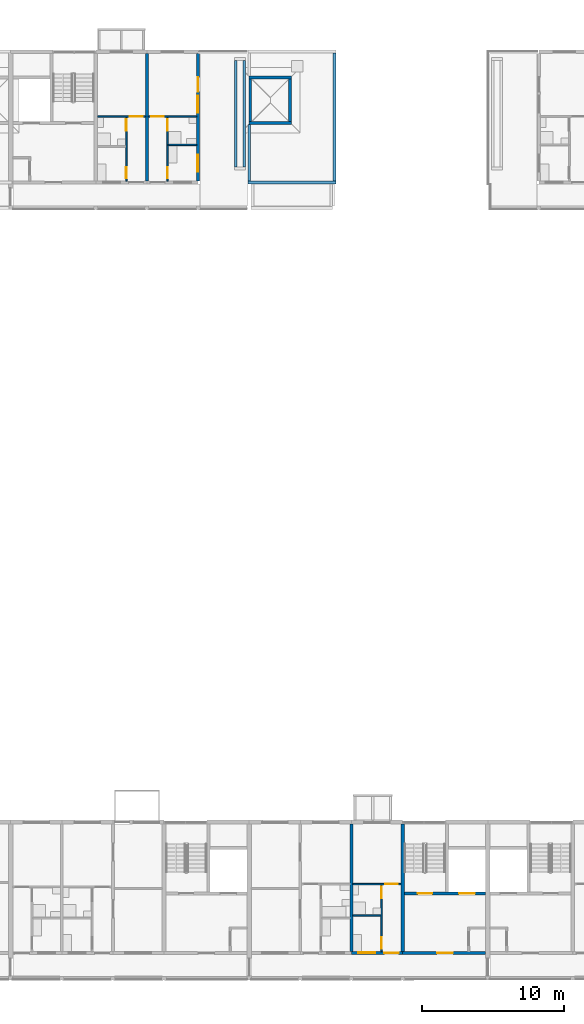
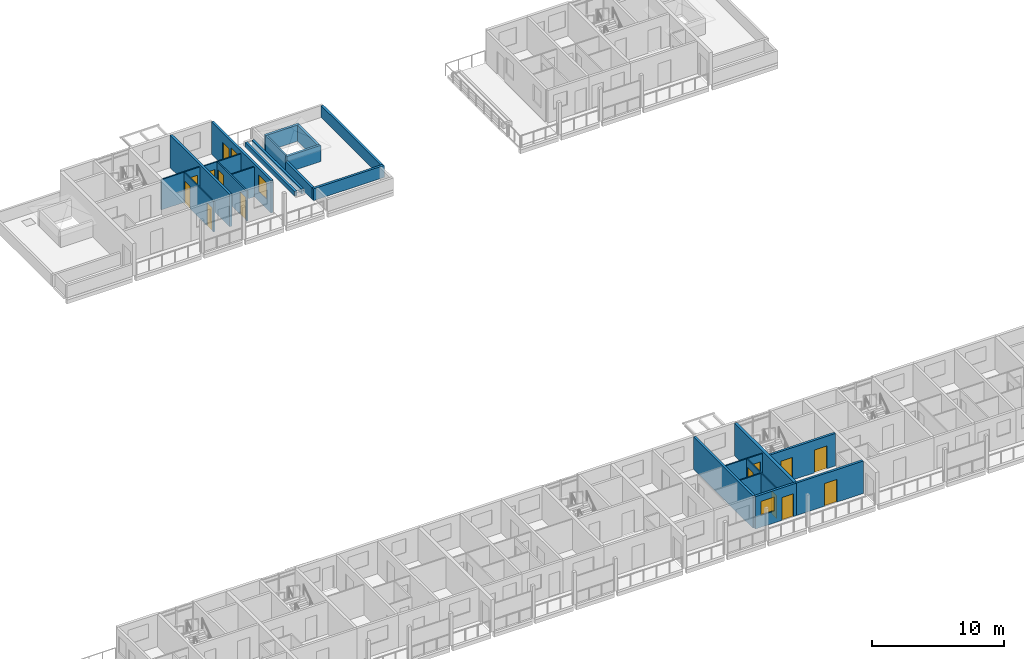
# One storey, part 45 of 78: 24 walls, 14 doors, 3 windows, 17 openings.
"""IFC4 building model written with IfcOpenShell, lengths in metres."""

from ifc_helpers import new_model, si_unit, direction, frame, frame_2d, origin, place, context, subcontext, project, spatial, rectangle, extrude, material, layer, layer_set, type_object, element, fill, save


model = new_model("IFC4")

# Units and contexts
model_context = context("Model", 3, precision=1e-05, world=origin(), true_north=direction((0.0, 1.0)))
body_context = subcontext(model_context, "Body", "Model", "MODEL_VIEW")
ifc_project = project(units=[si_unit("LENGTHUNIT", "METRE"), si_unit("AREAUNIT", "SQUARE_METRE"), si_unit("VOLUMEUNIT", "CUBIC_METRE"), si_unit("PLANEANGLEUNIT", "RADIAN"), si_unit("MASSUNIT", "GRAM", prefix="KILO")], contexts=[model_context])

# Site, building, storey
site_placement = place(None, origin())
site = spatial("IfcSite", under=ifc_project, at=site_placement, CompositionType="ELEMENT")
building_placement = place(site_placement, origin())
building = spatial("IfcBuilding", under=site, at=building_placement, Name="Ridgestep Commons", CompositionType="ELEMENT")
storey_placement = place(building_placement, frame((0.0, 0.0, 30.0)))
storey = spatial("IfcBuildingStorey", under=building, at=storey_placement, Name="L10", CompositionType="ELEMENT", Elevation=30.0)

# Wall
ifc_material_1 = material(Name="Concrete C30/37", Category="concrete")
ifc_layer_1 = layer(ifc_material_1, 0.25)
ifc_layer_set_1 = layer_set([ifc_layer_1], Name="Core cross wall 250")
wall_type_1 = type_object("IfcWallType", Name="Core cross wall 250", PredefinedType="SHEAR", material=ifc_layer_set_1)
wall_1_placement = place(storey_placement, frame((208.0, 13.75, 0.0), z_axis=(0.0, 0.0, 1.0), x_axis=(0.0, 1.0, 0.0)))
element("IfcWall", 1, at=wall_1_placement, inside=storey, type_object=wall_type_1, Name="Cross wall D-10-2080", PredefinedType="SHEAR", context=body_context, shape_type="SweptSolid", body=[
    extrude(rectangle(XDim=9.0, YDim=0.25, at=frame_2d((4.5, 0.0))), origin(), (0.0, 0.0, 1.0), 3.0),
])

# Wall, opening, door
ifc_material_2 = material(Name="Concrete C30/37", Category="concrete")
ifc_layer_2 = layer(ifc_material_2, 0.199951171875)
ifc_layer_set_2 = layer_set([ifc_layer_2], Name="Core south wall 200")
wall_type_2 = type_object("IfcWallType", Name="Core south wall 200", PredefinedType="SHEAR", material=ifc_layer_set_2)
wall_2_placement = place(storey_placement, frame((208.0, 13.64990234375, 0.0), z_axis=(0.0, 0.0, 1.0), x_axis=(1.0, 0.0, 0.0)))
wall_2 = element("IfcWall", 2, at=wall_2_placement, inside=storey, type_object=wall_type_2, Name="Core south wall D4C L10", PredefinedType="SHEAR", context=body_context, shape_type="SweptSolid", body=[
    extrude(rectangle(XDim=5.85009765625, YDim=0.199951171875, at=frame_2d((2.925048828125, 0.0))), origin(), (0.0, 0.0, 1.0), 3.0),
])
opening_1_placement = place(wall_2_placement, frame((2.4375, 0.0, 0.0)))
opening_1 = element("IfcOpeningElement", 3, at=opening_1_placement, cuts=wall_2, Name="Opening D4C/10/1", PredefinedType="OPENING", context=body_context, shape_type="SweptSolid", body=[
    extrude(rectangle(XDim=1.10009765625, YDim=2.10009765625, at=frame_2d((0.550048828125, 1.050048828125))), frame((0.0, 0.10986328125, 0.0), z_axis=(0.0, -1.0, 0.0), x_axis=(1.0, 0.0, 0.0)), (0.0, 0.0, 1.0), 0.219970703125),
])
ifc_material_3 = material(Name="Steel fire door", Category="steel")
door_type_1 = type_object("IfcDoorType", Name="Lobby door 1100 x 2100 FD60", OperationType="NOTDEFINED", PredefinedType="DOOR", material=ifc_material_3)
door_1_placement = place(opening_1_placement, origin())
door_1 = element("IfcDoor", 4, at=door_1_placement, inside=storey, type_object=door_type_1, Name="Lobby door D4C/10/1", OperationType="SINGLE_SWING_LEFT", OverallHeight=2.10009765625, OverallWidth=1.10009765625, PredefinedType="DOOR", context=body_context, shape_type="SweptSolid", body=[
    extrude(rectangle(XDim=1.10009765625, YDim=2.10009765625, at=frame_2d((0.550048828125, 1.050048828125))), frame((0.0, 0.02490234375, 0.0), z_axis=(0.0, -1.0, 0.0), x_axis=(1.0, 0.0, 0.0)), (0.0, 0.0, 1.0), 0.050048828125),
])
fill(opening_1, door_1)

# Wall, openings, doors
ifc_material_4 = material(Name="Concrete C30/37", Category="concrete")
ifc_layer_3 = layer(ifc_material_4, 0.199951171875)
ifc_layer_set_3 = layer_set([ifc_layer_3], Name="Core wall 200")
wall_type_3 = type_object("IfcWallType", Name="Core wall 200", PredefinedType="SHEAR", material=ifc_layer_set_3)
wall_3_placement = place(storey_placement, frame((208.125, 17.85009765625, 0.0), z_axis=(0.0, 0.0, 1.0), x_axis=(1.0, 0.0, 0.0)))
wall_3 = element("IfcWall", 5, at=wall_3_placement, inside=storey, type_object=wall_type_3, Name="Core lobby wall D4C L10", PredefinedType="SHEAR", context=body_context, shape_type="SweptSolid", body=[
    extrude(rectangle(XDim=5.72509765625, YDim=0.199951171875, at=frame_2d((2.862548828125, 0.0))), origin(), (0.0, 0.0, 1.0), 3.0),
])
opening_2_placement = place(wall_3_placement, frame((0.949951171875, 0.0, 0.0)))
opening_2 = element("IfcOpeningElement", 6, at=opening_2_placement, cuts=wall_3, Name="Opening D4C/10/2", PredefinedType="OPENING", context=body_context, shape_type="SweptSolid", body=[
    extrude(rectangle(XDim=1.0, YDim=2.10009765625, at=frame_2d((0.5, 1.050048828125))), frame((0.0, 0.10986328125, 0.0), z_axis=(0.0, -1.0, 0.0), x_axis=(1.0, 0.0, 0.0)), (0.0, 0.0, 1.0), 0.219970703125),
])
opening_3_placement = place(wall_3_placement, frame((3.862548828125, 0.0, 0.0)))
opening_3 = element("IfcOpeningElement", 7, at=opening_3_placement, cuts=wall_3, Name="Opening D4C/10/3", PredefinedType="OPENING", context=body_context, shape_type="SweptSolid", body=[
    extrude(rectangle(XDim=1.10009765625, YDim=2.10009765625, at=frame_2d((0.550048828125, 1.050048828125))), frame((0.0, 0.10986328125, 0.0), z_axis=(0.0, -1.0, 0.0), x_axis=(1.0, 0.0, 0.0)), (0.0, 0.0, 1.0), 0.219970703125),
])
ifc_material_5 = material(Name="Stainless steel", Category="steel")
door_type_2 = type_object("IfcDoorType", Name="Lift landing door 1100 x 2100 FD60", OperationType="DOUBLE_DOOR_SLIDING", PredefinedType="DOOR", material=ifc_material_5)
door_2_placement = place(opening_3_placement, origin())
door_2 = element("IfcDoor", 8, at=door_2_placement, inside=storey, type_object=door_type_2, Name="Landing door LD D4C L10", OperationType="DOUBLE_DOOR_SLIDING", OverallHeight=2.10009765625, OverallWidth=1.10009765625, PredefinedType="DOOR", context=body_context, shape_type="SweptSolid", body=[
    extrude(rectangle(XDim=1.10009765625, YDim=2.10009765625, at=frame_2d((0.550048828125, 1.050048828125))), frame((0.0, 0.02490234375, 0.0), z_axis=(0.0, -1.0, 0.0), x_axis=(1.0, 0.0, 0.0)), (0.0, 0.0, 1.0), 0.050048828125),
])
fill(opening_3, door_2)
ifc_material_6 = material(Name="Steel fire door", Category="steel")
door_type_3 = type_object("IfcDoorType", Name="Stair door 1000 x 2100 FD60", OperationType="NOTDEFINED", PredefinedType="DOOR", material=ifc_material_6)
door_3_placement = place(opening_2_placement, origin())
door_3 = element("IfcDoor", 9, at=door_3_placement, inside=storey, type_object=door_type_3, Name="Stair door D4C/10/2", OperationType="SINGLE_SWING_RIGHT", OverallHeight=2.10009765625, OverallWidth=1.0, PredefinedType="DOOR", context=body_context, shape_type="SweptSolid", body=[
    extrude(rectangle(XDim=1.0, YDim=2.10009765625, at=frame_2d((0.5, 1.050048828125))), frame((0.0, 0.02490234375, 0.0), z_axis=(0.0, -1.0, 0.0), x_axis=(1.0, 0.0, 0.0)), (0.0, 0.0, 1.0), 0.050048828125),
])
fill(opening_2, door_3)

# Walls
ifc_material_7 = material(Name="Precast concrete C40/50", Category="concrete")
ifc_layer_4 = layer(ifc_material_7, 0.199951171875)
ifc_layer_set_4 = layer_set([ifc_layer_4], Name="Cross wall 200")
wall_type_4 = type_object("IfcWallType", Name="Cross wall 200", PredefinedType="SHEAR", material=ifc_layer_set_4)
for number, where, z_axis, x_axis, name in (
    (10, (190.0, 68.0, 0.0), (0.0, 0.0, 1.0), (0.0, 1.0, 0.0), "Cross wall C-10-1900"),
    (11, (204.39990234375, 13.75, 0.0), (0.0, 0.0, 1.0), (0.0, 1.0, 0.0), "Cross wall D-10-2044"),
):
    element("IfcWall", number, at=place(storey_placement, frame(where, z_axis=z_axis, x_axis=x_axis)), inside=storey, type_object=wall_type_4, Name=name, PredefinedType="SHEAR", context=body_context, shape_type="SweptSolid", body=[
        extrude(rectangle(XDim=9.0, YDim=0.199951171875, at=frame_2d((4.5, 0.0))), origin(), (0.0, 0.0, 1.0), 3.0),
    ])

# Wall, openings, windows, door
ifc_material_8 = material(Name="Precast concrete C40/50", Category="concrete")
ifc_layer_5 = layer(ifc_material_8, 0.199951171875)
ifc_layer_set_5 = layer_set([ifc_layer_5], Name="Exposed cross wall 200")
wall_type_5 = type_object("IfcWallType", Name="Exposed cross wall 200", PredefinedType="SHEAR", material=ifc_layer_set_5)
wall_4_placement = place(storey_placement, frame((193.60009765625, 68.0, 0.0), z_axis=(0.0, 0.0, 1.0), x_axis=(0.0, 1.0, 0.0)))
wall_4 = element("IfcWall", 12, at=wall_4_placement, inside=storey, type_object=wall_type_5, Name="Cross wall C-10-1936", PredefinedType="SHEAR", context=body_context, shape_type="SweptSolid", body=[
    extrude(rectangle(XDim=9.0, YDim=0.199951171875, at=frame_2d((4.5, 0.0))), origin(), (0.0, 0.0, 1.0), 3.0),
])
opening_4_placement = place(wall_4_placement, frame((0.64990234375, 0.0, 0.89990234375)))
opening_4 = element("IfcOpeningElement", 13, at=opening_4_placement, cuts=wall_4, Name="Opening W10", PredefinedType="OPENING", context=body_context, shape_type="SweptSolid", body=[
    extrude(rectangle(XDim=1.199951171875, YDim=1.5, at=frame_2d((0.60009765625, 0.75))), frame((0.0, 0.10986328125, 0.0), z_axis=(0.0, -1.0, 0.0), x_axis=(1.0, 0.0, 0.0)), (0.0, 0.0, 1.0), 0.219970703125),
])
opening_5_placement = place(wall_4_placement, frame((4.8076171875, 0.0, 0.89990234375)))
opening_5 = element("IfcOpeningElement", 14, at=opening_5_placement, cuts=wall_4, Name="Opening W10", PredefinedType="OPENING", context=body_context, shape_type="SweptSolid", body=[
    extrude(rectangle(XDim=1.199951171875, YDim=1.5, at=frame_2d((0.60009765625, 0.75))), frame((0.0, 0.10986328125, 0.0), z_axis=(0.0, -1.0, 0.0), x_axis=(1.0, 0.0, 0.0)), (0.0, 0.0, 1.0), 0.219970703125),
])
opening_6_placement = place(wall_4_placement, frame((6.304931640625, 0.0, 0.0)))
opening_6 = element("IfcOpeningElement", 15, at=opening_6_placement, cuts=wall_4, Name="Opening C3-10a/5", PredefinedType="OPENING", context=body_context, shape_type="SweptSolid", body=[
    extrude(rectangle(XDim=1.0, YDim=2.10009765625, at=frame_2d((0.5, 1.050048828125))), frame((0.0, 0.10986328125, 0.0), z_axis=(0.0, -1.0, 0.0), x_axis=(1.0, 0.0, 0.0)), (0.0, 0.0, 1.0), 0.219970703125),
])
ifc_material_9 = material(Name="Aluminium 6063-T6 and glass", Category="aluminium")
window_type_1 = type_object("IfcWindowType", Name="Flat window 1200 x 1500", PartitioningType="SINGLE_PANEL", PredefinedType="WINDOW", material=ifc_material_9)
window_1_placement = place(opening_4_placement, origin())
window_1 = element("IfcWindow", 16, at=window_1_placement, inside=storey, type_object=window_type_1, Name="Window C3-10a 3", OverallHeight=1.5, OverallWidth=1.199951171875, PartitioningType="SINGLE_PANEL", PredefinedType="WINDOW", context=body_context, shape_type="SweptSolid", body=[
    extrude(rectangle(XDim=1.199951171875, YDim=1.5, at=frame_2d((0.60009765625, 0.75))), frame((0.0, 0.06005859375, 0.0), z_axis=(0.0, -1.0, 0.0), x_axis=(1.0, 0.0, 0.0)), (0.0, 0.0, 1.0), 0.06005859375),
])
fill(opening_4, window_1)
window_2_placement = place(opening_5_placement, origin())
window_2 = element("IfcWindow", 17, at=window_2_placement, inside=storey, type_object=window_type_1, Name="Window C3-10a 4", OverallHeight=1.5, OverallWidth=1.199951171875, PartitioningType="SINGLE_PANEL", PredefinedType="WINDOW", context=body_context, shape_type="SweptSolid", body=[
    extrude(rectangle(XDim=1.199951171875, YDim=1.5, at=frame_2d((0.60009765625, 0.75))), frame((0.0, 0.06005859375, 0.0), z_axis=(0.0, -1.0, 0.0), x_axis=(1.0, 0.0, 0.0)), (0.0, 0.0, 1.0), 0.06005859375),
])
fill(opening_5, window_2)
ifc_material_10 = material(Name="Aluminium and glass", Category="aluminium")
door_type_4 = type_object("IfcDoorType", Name="Terrace door 1000 x 2100", OperationType="NOTDEFINED", PredefinedType="DOOR", material=ifc_material_10)
door_4_placement = place(opening_6_placement, origin())
door_4 = element("IfcDoor", 18, at=door_4_placement, inside=storey, type_object=door_type_4, Name="Terrace door C3-10a/5", OperationType="SINGLE_SWING_LEFT", OverallHeight=2.10009765625, OverallWidth=1.0, PredefinedType="DOOR", context=body_context, shape_type="SweptSolid", body=[
    extrude(rectangle(XDim=1.0, YDim=2.10009765625, at=frame_2d((0.5, 1.050048828125))), frame((0.0, 0.02490234375, 0.0), z_axis=(0.0, -1.0, 0.0), x_axis=(1.0, 0.0, 0.0)), (0.0, 0.0, 1.0), 0.050048828125),
])
fill(opening_6, door_4)

# Walls
ifc_material_11 = material(Name="Concrete C30/37", Category="concrete")
ifc_layer_6 = layer(ifc_material_11, 0.14990234375)
ifc_layer_set_6 = layer_set([ifc_layer_6], Name="Lift overrun wall 150")
wall_type_6 = type_object("IfcWallType", Name="Lift overrun wall 150", PredefinedType="SHEAR", material=ifc_layer_set_6)
wall_5_placement = place(storey_placement, frame((197.27490234375, 72.199951171875, 0.0), z_axis=(0.0, 0.0, 1.0), x_axis=(0.0, 1.0, 0.0)))
element("IfcWall", 19, at=wall_5_placement, inside=storey, type_object=wall_type_6, Name="Lift overrun wall C4C", PredefinedType="SHEAR", context=body_context, shape_type="SweptSolid", body=[
    extrude(rectangle(XDim=3.0, YDim=0.14990234375, at=frame_2d((1.5, 0.0))), origin(), (0.0, 0.0, 1.0), 1.5),
])
ifc_material_12 = material(Name="Concrete C30/37", Category="concrete")
ifc_layer_7 = layer(ifc_material_12, 0.199951171875)
ifc_layer_set_7 = layer_set([ifc_layer_7], Name="Lift overrun wall 200")
wall_type_7 = type_object("IfcWallType", Name="Lift overrun wall 200", PredefinedType="SHEAR", material=ifc_layer_set_7)
for number, where, z_axis, x_axis, name in (
    (20, (197.199951171875, 72.10009765625, 0.0), (0.0, 0.0, 1.0), (1.0, 0.0, 0.0), "Lift overrun wall C4C"),
    (21, (197.199951171875, 75.300048828125, 0.0), (0.0, 0.0, 1.0), (1.0, 0.0, 0.0), "Lift overrun wall C4C"),
):
    element("IfcWall", number, at=place(storey_placement, frame(where, z_axis=z_axis, x_axis=x_axis)), inside=storey, type_object=wall_type_7, Name=name, PredefinedType="SHEAR", context=body_context, shape_type="SweptSolid", body=[
        extrude(rectangle(XDim=2.97509765625, YDim=0.199951171875, at=frame_2d((1.487548828125, 0.0))), origin(), (0.0, 0.0, 1.0), 1.5),
    ])
wall_6_placement = place(storey_placement, frame((200.074951171875, 72.199951171875, 0.0), z_axis=(0.0, 0.0, 1.0), x_axis=(0.0, 1.0, 0.0)))
element("IfcWall", 22, at=wall_6_placement, inside=storey, type_object=wall_type_7, Name="Lift overrun wall C4C", PredefinedType="SHEAR", context=body_context, shape_type="SweptSolid", body=[
    extrude(rectangle(XDim=3.0, YDim=0.199951171875, at=frame_2d((1.5, 0.0))), origin(), (0.0, 0.0, 1.0), 1.5),
])
ifc_material_13 = material(Name="Precast concrete C40/50", Category="concrete")
ifc_layer_8 = layer(ifc_material_13, 0.199951171875)
ifc_layer_set_8 = layer_set([ifc_layer_8], Name="Parapet wall 200")
wall_type_8 = type_object("IfcWallType", Name="Parapet wall 200", PredefinedType="PARAPET", material=ifc_layer_set_8)
wall_7_placement = place(storey_placement, frame((197.10009765625, 67.89990234375, 0.0), z_axis=(0.0, 0.0, 1.0), x_axis=(1.0, 0.0, 0.0)))
element("IfcWall", 23, at=wall_7_placement, inside=storey, type_object=wall_type_8, Name="Parapet C4C south", PredefinedType="PARAPET", context=body_context, shape_type="SweptSolid", body=[
    extrude(rectangle(XDim=6.199951171875, YDim=0.199951171875, at=frame_2d((3.10009765625, 0.0))), origin(), (0.0, 0.0, 1.0), 1.10009765625),
])
wall_8_placement = place(storey_placement, frame((197.199951171875, 68.0, 0.0), z_axis=(0.0, 0.0, 1.0), x_axis=(0.0, 1.0, 0.0)))
element("IfcWall", 24, at=wall_8_placement, inside=storey, type_object=wall_type_8, Name="Parapet C4C west", PredefinedType="PARAPET", context=body_context, shape_type="SweptSolid", body=[
    extrude(rectangle(XDim=4.0, YDim=0.199951171875, at=frame_2d((2.0, 0.0))), origin(), (0.0, 0.0, 1.0), 1.10009765625),
])
wall_9_placement = place(storey_placement, frame((203.199951171875, 68.0, 0.0), z_axis=(0.0, 0.0, 1.0), x_axis=(0.0, 1.0, 0.0)))
element("IfcWall", 25, at=wall_9_placement, inside=storey, type_object=wall_type_8, Name="Parapet C4C east", PredefinedType="PARAPET", context=body_context, shape_type="SweptSolid", body=[
    extrude(rectangle(XDim=9.02490234375, YDim=0.199951171875, at=frame_2d((4.512451171875, 0.0))), origin(), (0.0, 0.0, 1.0), 1.10009765625),
])

# Wall, openings, doors
ifc_material_14 = material(Name="Common brick 110 mm", Category="masonry")
ifc_layer_9 = layer(ifc_material_14, 0.110107421875)
ifc_layer_set_9 = layer_set([ifc_layer_9], Name="Partition 110")
wall_type_9 = type_object("IfcWallType", Name="Partition 110", PredefinedType="PARTITIONING", material=ifc_layer_set_9)
wall_10_placement = place(storey_placement, frame((191.455078125, 68.0, 0.0), z_axis=(0.0, 0.0, 1.0), x_axis=(0.0, 1.0, 0.0)))
wall_10 = element("IfcWall", 26, at=wall_10_placement, inside=storey, type_object=wall_type_9, Name="Partition C3-10a", PredefinedType="PARTITIONING", context=body_context, shape_type="SweptSolid", body=[
    extrude(rectangle(XDim=4.5, YDim=0.110107421875, at=frame_2d((2.25, 0.0))), origin(), (0.0, 0.0, 1.0), 2.75),
])
opening_7_placement = place(wall_10_placement, frame((0.199951171875, 0.0, 0.0)))
opening_7 = element("IfcOpeningElement", 27, at=opening_7_placement, cuts=wall_10, Name="Opening C3-10a/2", PredefinedType="OPENING", context=body_context, shape_type="SweptSolid", body=[
    extrude(rectangle(XDim=0.800048828125, YDim=2.10009765625, at=frame_2d((0.39990234375, 1.050048828125))), frame((0.0, 0.06494140625, 0.0), z_axis=(0.0, -1.0, 0.0), x_axis=(1.0, 0.0, 0.0)), (0.0, 0.0, 1.0), 0.130126953125),
])
opening_8_placement = place(wall_10_placement, frame((3.550048828125, 0.0, 0.0)))
opening_8 = element("IfcOpeningElement", 28, at=opening_8_placement, cuts=wall_10, Name="Opening C3-10a/3", PredefinedType="OPENING", context=body_context, shape_type="SweptSolid", body=[
    extrude(rectangle(XDim=0.800048828125, YDim=2.10009765625, at=frame_2d((0.39990234375, 1.050048828125))), frame((0.0, 0.06494140625, 0.0), z_axis=(0.0, -1.0, 0.0), x_axis=(1.0, 0.0, 0.0)), (0.0, 0.0, 1.0), 0.130126953125),
])
ifc_material_15 = material(Name="Timber door leaf", Category="wood")
door_type_5 = type_object("IfcDoorType", Name="Internal door 800 x 2100", OperationType="NOTDEFINED", PredefinedType="DOOR", material=ifc_material_15)
door_5_placement = place(opening_7_placement, origin())
door_5 = element("IfcDoor", 29, at=door_5_placement, inside=storey, type_object=door_type_5, Name="Internal door C3-10a/2", OperationType="SINGLE_SWING_RIGHT", OverallHeight=2.10009765625, OverallWidth=0.800048828125, PredefinedType="DOOR", context=body_context, shape_type="SweptSolid", body=[
    extrude(rectangle(XDim=0.800048828125, YDim=2.10009765625, at=frame_2d((0.39990234375, 1.050048828125))), frame((0.0, 0.02490234375, 0.0), z_axis=(0.0, -1.0, 0.0), x_axis=(1.0, 0.0, 0.0)), (0.0, 0.0, 1.0), 0.050048828125),
])
fill(opening_7, door_5)
door_6_placement = place(opening_8_placement, origin())
door_6 = element("IfcDoor", 30, at=door_6_placement, inside=storey, type_object=door_type_5, Name="Internal door C3-10a/3", OperationType="SINGLE_SWING_LEFT", OverallHeight=2.10009765625, OverallWidth=0.800048828125, PredefinedType="DOOR", context=body_context, shape_type="SweptSolid", body=[
    extrude(rectangle(XDim=0.800048828125, YDim=2.10009765625, at=frame_2d((0.39990234375, 1.050048828125))), frame((0.0, 0.02490234375, 0.0), z_axis=(0.0, -1.0, 0.0), x_axis=(1.0, 0.0, 0.0)), (0.0, 0.0, 1.0), 0.050048828125),
])
fill(opening_8, door_6)

# Wall
wall_11_placement = place(storey_placement, frame((191.510009765625, 70.554931640625, 0.0), z_axis=(0.0, 0.0, 1.0), x_axis=(1.0, 0.0, 0.0)))
element("IfcWall", 31, at=wall_11_placement, inside=storey, type_object=wall_type_9, Name="Partition C3-10a", PredefinedType="PARTITIONING", context=body_context, shape_type="SweptSolid", body=[
    extrude(rectangle(XDim=1.989990234375, YDim=0.110107421875, at=frame_2d((0.9951171875, 0.0))), origin(), (0.0, 0.0, 1.0), 2.75),
])

# Wall, opening, door
wall_12_placement = place(storey_placement, frame((190.10009765625, 72.554931640625, 0.0), z_axis=(0.0, 0.0, 1.0), x_axis=(1.0, 0.0, 0.0)))
wall_12 = element("IfcWall", 32, at=wall_12_placement, inside=storey, type_object=wall_type_9, Name="Partition C3-10a", PredefinedType="PARTITIONING", context=body_context, shape_type="SweptSolid", body=[
    extrude(rectangle(XDim=3.39990234375, YDim=0.110107421875, at=frame_2d((1.699951171875, 0.0))), origin(), (0.0, 0.0, 1.0), 2.75),
])
opening_9_placement = place(wall_12_placement, frame((0.199951171875, 0.0, 0.0)))
opening_9 = element("IfcOpeningElement", 33, at=opening_9_placement, cuts=wall_12, Name="Opening C3-10a/4", PredefinedType="OPENING", context=body_context, shape_type="SweptSolid", body=[
    extrude(rectangle(XDim=0.89990234375, YDim=2.10009765625, at=frame_2d((0.449951171875, 1.050048828125))), frame((0.0, 0.06494140625, 0.0), z_axis=(0.0, -1.0, 0.0), x_axis=(1.0, 0.0, 0.0)), (0.0, 0.0, 1.0), 0.130126953125),
])
ifc_material_16 = material(Name="Timber door leaf", Category="wood")
door_type_6 = type_object("IfcDoorType", Name="Internal door 900 x 2100", OperationType="NOTDEFINED", PredefinedType="DOOR", material=ifc_material_16)
door_7_placement = place(opening_9_placement, origin())
door_7 = element("IfcDoor", 34, at=door_7_placement, inside=storey, type_object=door_type_6, Name="Internal door C3-10a/4", OperationType="SINGLE_SWING_LEFT", OverallHeight=2.10009765625, OverallWidth=0.89990234375, PredefinedType="DOOR", context=body_context, shape_type="SweptSolid", body=[
    extrude(rectangle(XDim=0.89990234375, YDim=2.10009765625, at=frame_2d((0.449951171875, 1.050048828125))), frame((0.0, 0.02490234375, 0.0), z_axis=(0.0, -1.0, 0.0), x_axis=(1.0, 0.0, 0.0)), (0.0, 0.0, 1.0), 0.050048828125),
])
fill(opening_9, door_7)

# Wall, openings, doors
wall_13_placement = place(storey_placement, frame((188.544921875, 68.0, 0.0), z_axis=(0.0, 0.0, 1.0), x_axis=(0.0, 1.0, 0.0)))
wall_13 = element("IfcWall", 35, at=wall_13_placement, inside=storey, type_object=wall_type_9, Name="Partition C3-10b", PredefinedType="PARTITIONING", context=body_context, shape_type="SweptSolid", body=[
    extrude(rectangle(XDim=4.5, YDim=0.110107421875, at=frame_2d((2.25, 0.0))), origin(), (0.0, 0.0, 1.0), 2.800048828125),
])
opening_10_placement = place(wall_13_placement, frame((0.199951171875, 0.0, 0.0)))
opening_10 = element("IfcOpeningElement", 36, at=opening_10_placement, cuts=wall_13, Name="Opening C3-10b/2", PredefinedType="OPENING", context=body_context, shape_type="SweptSolid", body=[
    extrude(rectangle(XDim=0.800048828125, YDim=2.10009765625, at=frame_2d((0.39990234375, 1.050048828125))), frame((0.0, 0.06494140625, 0.0), z_axis=(0.0, -1.0, 0.0), x_axis=(1.0, 0.0, 0.0)), (0.0, 0.0, 1.0), 0.130126953125),
])
opening_11_placement = place(wall_13_placement, frame((3.550048828125, 0.0, 0.0)))
opening_11 = element("IfcOpeningElement", 37, at=opening_11_placement, cuts=wall_13, Name="Opening C3-10b/3", PredefinedType="OPENING", context=body_context, shape_type="SweptSolid", body=[
    extrude(rectangle(XDim=0.800048828125, YDim=2.10009765625, at=frame_2d((0.39990234375, 1.050048828125))), frame((0.0, 0.06494140625, 0.0), z_axis=(0.0, -1.0, 0.0), x_axis=(1.0, 0.0, 0.0)), (0.0, 0.0, 1.0), 0.130126953125),
])
door_8_placement = place(opening_10_placement, origin())
door_8 = element("IfcDoor", 38, at=door_8_placement, inside=storey, type_object=door_type_5, Name="Internal door C3-10b/2", OperationType="SINGLE_SWING_LEFT", OverallHeight=2.10009765625, OverallWidth=0.800048828125, PredefinedType="DOOR", context=body_context, shape_type="SweptSolid", body=[
    extrude(rectangle(XDim=0.800048828125, YDim=2.10009765625, at=frame_2d((0.39990234375, 1.050048828125))), frame((0.0, 0.02490234375, 0.0), z_axis=(0.0, -1.0, 0.0), x_axis=(1.0, 0.0, 0.0)), (0.0, 0.0, 1.0), 0.050048828125),
])
fill(opening_10, door_8)
door_9_placement = place(opening_11_placement, origin())
door_9 = element("IfcDoor", 39, at=door_9_placement, inside=storey, type_object=door_type_5, Name="Internal door C3-10b/3", OperationType="SINGLE_SWING_RIGHT", OverallHeight=2.10009765625, OverallWidth=0.800048828125, PredefinedType="DOOR", context=body_context, shape_type="SweptSolid", body=[
    extrude(rectangle(XDim=0.800048828125, YDim=2.10009765625, at=frame_2d((0.39990234375, 1.050048828125))), frame((0.0, 0.02490234375, 0.0), z_axis=(0.0, -1.0, 0.0), x_axis=(1.0, 0.0, 0.0)), (0.0, 0.0, 1.0), 0.050048828125),
])
fill(opening_11, door_9)

# Wall, opening, door
wall_14_placement = place(storey_placement, frame((186.52490234375, 72.554931640625, 0.0), z_axis=(0.0, 0.0, 1.0), x_axis=(1.0, 0.0, 0.0)))
wall_14 = element("IfcWall", 40, at=wall_14_placement, inside=storey, type_object=wall_type_9, Name="Partition C3-10b", PredefinedType="PARTITIONING", context=body_context, shape_type="SweptSolid", body=[
    extrude(rectangle(XDim=3.375, YDim=0.110107421875, at=frame_2d((1.6875, 0.0))), origin(), (0.0, 0.0, 1.0), 2.800048828125),
])
opening_12_placement = place(wall_14_placement, frame((2.27490234375, 0.0, 0.0)))
opening_12 = element("IfcOpeningElement", 41, at=opening_12_placement, cuts=wall_14, Name="Opening C3-10b/4", PredefinedType="OPENING", context=body_context, shape_type="SweptSolid", body=[
    extrude(rectangle(XDim=0.89990234375, YDim=2.10009765625, at=frame_2d((0.449951171875, 1.050048828125))), frame((0.0, 0.06494140625, 0.0), z_axis=(0.0, -1.0, 0.0), x_axis=(1.0, 0.0, 0.0)), (0.0, 0.0, 1.0), 0.130126953125),
])
door_10_placement = place(opening_12_placement, origin())
door_10 = element("IfcDoor", 42, at=door_10_placement, inside=storey, type_object=door_type_6, Name="Internal door C3-10b/4", OperationType="SINGLE_SWING_LEFT", OverallHeight=2.10009765625, OverallWidth=0.89990234375, PredefinedType="DOOR", context=body_context, shape_type="SweptSolid", body=[
    extrude(rectangle(XDim=0.89990234375, YDim=2.10009765625, at=frame_2d((0.449951171875, 1.050048828125))), frame((0.0, 0.02490234375, 0.0), z_axis=(0.0, -1.0, 0.0), x_axis=(1.0, 0.0, 0.0)), (0.0, 0.0, 1.0), 0.050048828125),
])
fill(opening_12, door_10)

# Wall
wall_15_placement = place(storey_placement, frame((204.5, 16.304931640625, 0.0), z_axis=(0.0, 0.0, 1.0), x_axis=(1.0, 0.0, 0.0)))
element("IfcWall", 43, at=wall_15_placement, inside=storey, type_object=wall_type_9, Name="Partition D4-10b", PredefinedType="PARTITIONING", context=body_context, shape_type="SweptSolid", body=[
    extrude(rectangle(XDim=1.965087890625, YDim=0.110107421875, at=frame_2d((0.982421875, 0.0))), origin(), (0.0, 0.0, 1.0), 2.800048828125),
])

# Wall, openings, doors
wall_16_placement = place(storey_placement, frame((206.52001953125, 13.75, 0.0), z_axis=(0.0, 0.0, 1.0), x_axis=(0.0, 1.0, 0.0)))
wall_16 = element("IfcWall", 44, at=wall_16_placement, inside=storey, type_object=wall_type_9, Name="Partition D4-10b", PredefinedType="PARTITIONING", context=body_context, shape_type="SweptSolid", body=[
    extrude(rectangle(XDim=4.699951171875, YDim=0.110107421875, at=frame_2d((2.35009765625, 0.0))), origin(), (0.0, 0.0, 1.0), 2.800048828125),
])
opening_13_placement = place(wall_16_placement, frame((0.199951171875, 0.0, 0.0)))
opening_13 = element("IfcOpeningElement", 45, at=opening_13_placement, cuts=wall_16, Name="Opening D4-10b/2", PredefinedType="OPENING", context=body_context, shape_type="SweptSolid", body=[
    extrude(rectangle(XDim=0.800048828125, YDim=2.10009765625, at=frame_2d((0.39990234375, 1.050048828125))), frame((0.0, 0.06494140625, 0.0), z_axis=(0.0, -1.0, 0.0), x_axis=(1.0, 0.0, 0.0)), (0.0, 0.0, 1.0), 0.130126953125),
])
opening_14_placement = place(wall_16_placement, frame((3.75, 0.0, 0.0)))
opening_14 = element("IfcOpeningElement", 46, at=opening_14_placement, cuts=wall_16, Name="Opening D4-10b/3", PredefinedType="OPENING", context=body_context, shape_type="SweptSolid", body=[
    extrude(rectangle(XDim=0.800048828125, YDim=2.10009765625, at=frame_2d((0.39990234375, 1.050048828125))), frame((0.0, 0.06494140625, 0.0), z_axis=(0.0, -1.0, 0.0), x_axis=(1.0, 0.0, 0.0)), (0.0, 0.0, 1.0), 0.130126953125),
])
door_11_placement = place(opening_13_placement, origin())
door_11 = element("IfcDoor", 47, at=door_11_placement, inside=storey, type_object=door_type_5, Name="Internal door D4-10b/2", OperationType="SINGLE_SWING_LEFT", OverallHeight=2.10009765625, OverallWidth=0.800048828125, PredefinedType="DOOR", context=body_context, shape_type="SweptSolid", body=[
    extrude(rectangle(XDim=0.800048828125, YDim=2.10009765625, at=frame_2d((0.39990234375, 1.050048828125))), frame((0.0, 0.02490234375, 0.0), z_axis=(0.0, -1.0, 0.0), x_axis=(1.0, 0.0, 0.0)), (0.0, 0.0, 1.0), 0.050048828125),
])
fill(opening_13, door_11)
door_12_placement = place(opening_14_placement, origin())
door_12 = element("IfcDoor", 48, at=door_12_placement, inside=storey, type_object=door_type_5, Name="Internal door D4-10b/3", OperationType="SINGLE_SWING_RIGHT", OverallHeight=2.10009765625, OverallWidth=0.800048828125, PredefinedType="DOOR", context=body_context, shape_type="SweptSolid", body=[
    extrude(rectangle(XDim=0.800048828125, YDim=2.10009765625, at=frame_2d((0.39990234375, 1.050048828125))), frame((0.0, 0.02490234375, 0.0), z_axis=(0.0, -1.0, 0.0), x_axis=(1.0, 0.0, 0.0)), (0.0, 0.0, 1.0), 0.050048828125),
])
fill(opening_14, door_12)

# Wall, opening, door
wall_17_placement = place(storey_placement, frame((204.5, 18.5048828125, 0.0), z_axis=(0.0, 0.0, 1.0), x_axis=(1.0, 0.0, 0.0)))
wall_17 = element("IfcWall", 49, at=wall_17_placement, inside=storey, type_object=wall_type_9, Name="Partition D4-10b", PredefinedType="PARTITIONING", context=body_context, shape_type="SweptSolid", body=[
    extrude(rectangle(XDim=3.375, YDim=0.110107421875, at=frame_2d((1.6875, 0.0))), origin(), (0.0, 0.0, 1.0), 2.800048828125),
])
opening_15_placement = place(wall_17_placement, frame((2.27490234375, 0.0, 0.0)))
opening_15 = element("IfcOpeningElement", 50, at=opening_15_placement, cuts=wall_17, Name="Opening D4-10b/4", PredefinedType="OPENING", context=body_context, shape_type="SweptSolid", body=[
    extrude(rectangle(XDim=0.89990234375, YDim=2.10009765625, at=frame_2d((0.449951171875, 1.050048828125))), frame((0.0, 0.06494140625, 0.0), z_axis=(0.0, -1.0, 0.0), x_axis=(1.0, 0.0, 0.0)), (0.0, 0.0, 1.0), 0.130126953125),
])
door_13_placement = place(opening_15_placement, origin())
door_13 = element("IfcDoor", 51, at=door_13_placement, inside=storey, type_object=door_type_6, Name="Internal door D4-10b/4", OperationType="SINGLE_SWING_LEFT", OverallHeight=2.10009765625, OverallWidth=0.89990234375, PredefinedType="DOOR", context=body_context, shape_type="SweptSolid", body=[
    extrude(rectangle(XDim=0.89990234375, YDim=2.10009765625, at=frame_2d((0.449951171875, 1.050048828125))), frame((0.0, 0.02490234375, 0.0), z_axis=(0.0, -1.0, 0.0), x_axis=(1.0, 0.0, 0.0)), (0.0, 0.0, 1.0), 0.050048828125),
])
fill(opening_15, door_13)

# Walls
ifc_material_17 = material(Name="Facing brick", Category="masonry")
ifc_layer_10 = layer(ifc_material_17, 0.199951171875)
ifc_layer_set_10 = layer_set([ifc_layer_10], Name="Planter wall 200")
wall_type_10 = type_object("IfcWallType", Name="Planter wall 200", PredefinedType="SOLIDWALL", material=ifc_layer_set_10)
for number, where, z_axis, x_axis, name in (
    (52, (196.25, 69.0, 0.010009765625), (0.0, 0.0, 1.0), (0.0, 1.0, 0.0), "Planter wall C3R1W"),
    (53, (196.85009765625, 69.0, 0.010009765625), (0.0, 0.0, 1.0), (0.0, 1.0, 0.0), "Planter wall C3R1E"),
):
    element("IfcWall", number, at=place(storey_placement, frame(where, z_axis=z_axis, x_axis=x_axis)), inside=storey, type_object=wall_type_10, Name=name, PredefinedType="SOLIDWALL", context=body_context, shape_type="SweptSolid", body=[
        extrude(rectangle(XDim=7.5, YDim=0.199951171875, at=frame_2d((3.75, 0.0))), origin(), (0.0, 0.0, 1.0), 0.449951171875),
    ])

# Wall, openings, door, window
ifc_material_18 = material(Name="Precast concrete C40/50", Category="concrete")
ifc_layer_11 = layer(ifc_material_18, 0.199951171875)
ifc_layer_set_11 = layer_set([ifc_layer_11], Name="South facade panel 200")
wall_type_11 = type_object("IfcWallType", Name="South facade panel 200", PredefinedType="SOLIDWALL", material=ifc_layer_set_11)
wall_18_placement = place(storey_placement, frame((204.39990234375, 13.64990234375, 0.0), z_axis=(0.0, 0.0, 1.0), x_axis=(1.0, 0.0, 0.0)))
wall_18 = element("IfcWall", 54, at=wall_18_placement, inside=storey, type_object=wall_type_11, Name="South panel D4T3 L10", PredefinedType="SOLIDWALL", context=body_context, shape_type="SweptSolid", body=[
    extrude(rectangle(XDim=3.60009765625, YDim=0.199951171875, at=frame_2d((1.800048828125, 0.0))), origin(), (0.0, 0.0, 1.0), 3.0),
])
opening_16_placement = place(wall_18_placement, frame((0.482421875, 0.0, 1.10009765625)))
opening_16 = element("IfcOpeningElement", 55, at=opening_16_placement, cuts=wall_18, Name="Opening W08", PredefinedType="OPENING", context=body_context, shape_type="SweptSolid", body=[
    extrude(rectangle(XDim=1.199951171875, YDim=1.300048828125, at=frame_2d((0.60009765625, 0.64990234375))), frame((0.0, 0.10986328125, 0.0), z_axis=(0.0, -1.0, 0.0), x_axis=(1.0, 0.0, 0.0)), (0.0, 0.0, 1.0), 0.219970703125),
])
opening_17_placement = place(wall_18_placement, frame((2.324951171875, 0.0, 0.0)))
opening_17 = element("IfcOpeningElement", 56, at=opening_17_placement, cuts=wall_18, Name="Opening D4-10b/1", PredefinedType="OPENING", context=body_context, shape_type="SweptSolid", body=[
    extrude(rectangle(XDim=1.0, YDim=2.10009765625, at=frame_2d((0.5, 1.050048828125))), frame((0.0, 0.10986328125, 0.0), z_axis=(0.0, -1.0, 0.0), x_axis=(1.0, 0.0, 0.0)), (0.0, 0.0, 1.0), 0.219970703125),
])
ifc_material_19 = material(Name="Timber door leaf", Category="wood")
door_type_7 = type_object("IfcDoorType", Name="Flat entrance door 1000 x 2100 FD30S", OperationType="NOTDEFINED", PredefinedType="DOOR", material=ifc_material_19)
door_14_placement = place(opening_17_placement, origin())
door_14 = element("IfcDoor", 57, at=door_14_placement, inside=storey, type_object=door_type_7, Name="Flat entrance door D4-10b/1", OperationType="SINGLE_SWING_RIGHT", OverallHeight=2.10009765625, OverallWidth=1.0, PredefinedType="DOOR", context=body_context, shape_type="SweptSolid", body=[
    extrude(rectangle(XDim=1.0, YDim=2.10009765625, at=frame_2d((0.5, 1.050048828125))), frame((0.0, 0.02490234375, 0.0), z_axis=(0.0, -1.0, 0.0), x_axis=(1.0, 0.0, 0.0)), (0.0, 0.0, 1.0), 0.050048828125),
])
fill(opening_17, door_14)
ifc_material_20 = material(Name="Aluminium 6063-T6 and glass", Category="aluminium")
window_type_2 = type_object("IfcWindowType", Name="Flat window 1200 x 1300", PartitioningType="SINGLE_PANEL", PredefinedType="WINDOW", material=ifc_material_20)
window_3_placement = place(opening_16_placement, origin())
window_3 = element("IfcWindow", 58, at=window_3_placement, inside=storey, type_object=window_type_2, Name="Window D4-10b 1", OverallHeight=1.300048828125, OverallWidth=1.199951171875, PartitioningType="SINGLE_PANEL", PredefinedType="WINDOW", context=body_context, shape_type="SweptSolid", body=[
    extrude(rectangle(XDim=1.199951171875, YDim=1.300048828125, at=frame_2d((0.60009765625, 0.64990234375))), frame((0.0, 0.06005859375, 0.0), z_axis=(0.0, -1.0, 0.0), x_axis=(1.0, 0.0, 0.0)), (0.0, 0.0, 1.0), 0.06005859375),
])
fill(opening_16, window_3)

save(model, "model.ifc")
